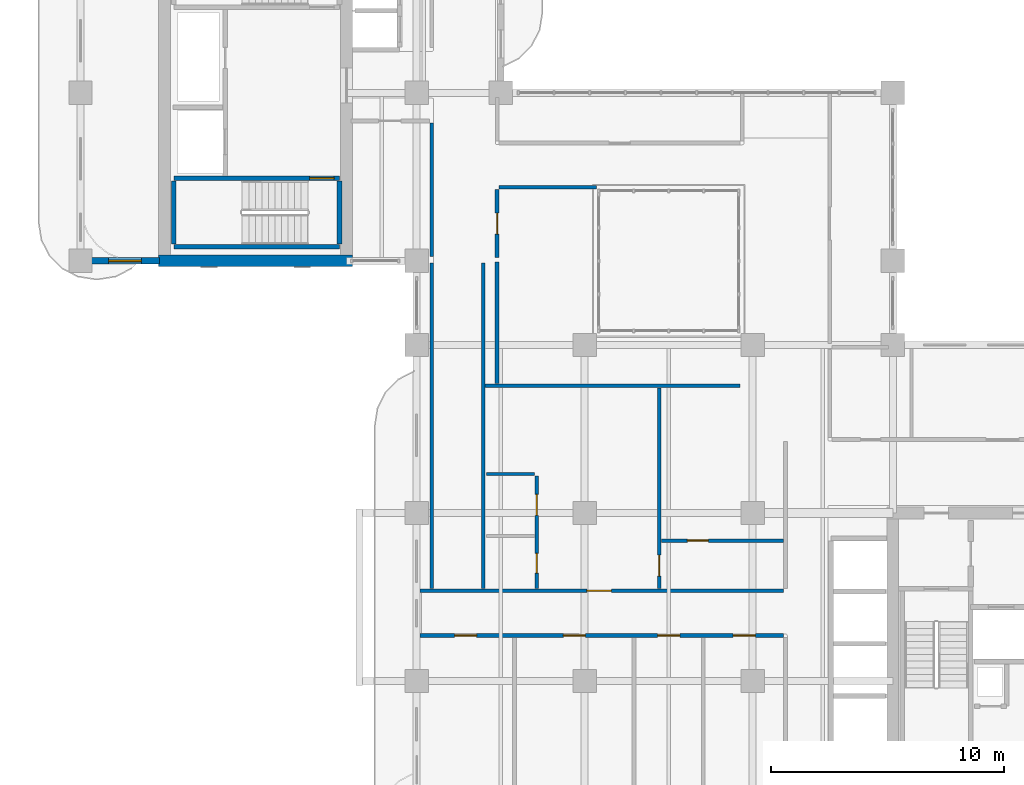
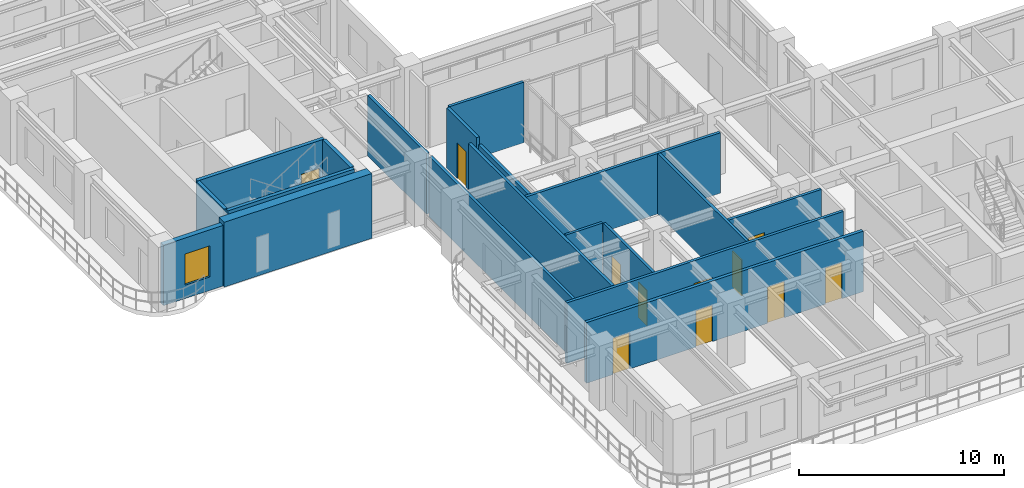
# One storey, part 11 of 21: 19 walls, 11 doors, 1 window, 12 openings.
"""IFC4 building model written with IfcOpenShell, lengths in metres."""

from ifc_helpers import new_model, si_unit, derived_unit, direction, frame, frame_2d, origin, place, context, subcontext, project, spatial, rectangle, extrude, source, transform, mapped, material, layer, layer_set, type_object, type_shapes, element, fill, save


model = new_model("IFC4")

# Units and contexts
model_context = context("Model", 3, precision=1e-05, world=origin(), true_north=direction((0.0, 1.0)))
body_context = subcontext(model_context, "Body", "Model", "MODEL_VIEW")
ifc_project = project(units=[si_unit("LENGTHUNIT", "METRE"), si_unit("AREAUNIT", "SQUARE_METRE"), si_unit("VOLUMEUNIT", "CUBIC_METRE"), si_unit("PLANEANGLEUNIT", "RADIAN"), si_unit("MASSUNIT", "GRAM", prefix="KILO"), si_unit("THERMODYNAMICTEMPERATUREUNIT", "KELVIN"), si_unit("POWERUNIT", "WATT"), derived_unit("THERMALTRANSMITTANCEUNIT", [(si_unit("POWERUNIT", "WATT"), 1), (si_unit("AREAUNIT", "SQUARE_METRE"), -1), (si_unit("THERMODYNAMICTEMPERATUREUNIT", "KELVIN"), -1)])], contexts=[model_context])

# Site, building, storey
site_placement = place(None, origin())
site = spatial("IfcSite", under=ifc_project, at=site_placement, CompositionType="ELEMENT")
building_placement = place(site_placement, origin())
building = spatial("IfcBuilding", under=site, at=building_placement, Name="Zahravan Archway Hotel and Residences", CompositionType="ELEMENT")
storey_placement = place(building_placement, frame((0.0, 0.0, 165.699951171875)))
storey = spatial("IfcBuildingStorey", under=building, at=storey_placement, Name="L41", CompositionType="ELEMENT", Elevation=165.699951171875)

# Wall
ifc_material_1 = material(Name="Concrete C60/75", Category="concrete")
ifc_layer_1 = layer(ifc_material_1, 0.5, Name="Concrete C60/75", Category="concrete")
ifc_layer_set_1 = layer_set([ifc_layer_1], Name="Concrete C60/75")
wall_type_1 = type_object("IfcWallType", Name="CW-CORE-500", PredefinedType="SHEAR", material=ifc_layer_set_1)
wall_1_placement = place(storey_placement, frame((3.35009765625, 25.199951171875, 0.0), z_axis=(0.0, 0.0, 1.0), x_axis=(1.0, 0.0, 0.0)))
element("IfcWall", 1, at=wall_1_placement, inside=storey, type_object=wall_type_1, Name="L41 Core B Shear S Wall 500 mm", PredefinedType="SHEAR", context=body_context, shape_type="SweptSolid", body=[
    extrude(rectangle(XDim=8.2998046875, YDim=0.5, at=frame_2d((4.14990234375, 0.0))), origin(), (0.0, 0.0, 1.0), 3.85009765625),
])

# Wall, opening, window
ifc_material_2 = material(Name="Honed Red-Ochre Sandstone & Insulated Block", Category="masonry")
ifc_layer_2 = layer(ifc_material_2, 0.280029296875, Name="Honed Red-Ochre Sandstone & Insulated Block", Category="masonry")
ifc_layer_set_2 = layer_set([ifc_layer_2], Name="Honed Red-Ochre Sandstone & Insulated Block")
wall_type_2 = type_object("IfcWallType", Name="EW-LOG-280", PredefinedType="SOLIDWALL", material=ifc_layer_set_2)
wall_2_placement = place(storey_placement, frame((0.0, 25.199951171875, 0.0), z_axis=(0.0, 0.0, 1.0), x_axis=(1.0, 0.0, 0.0)))
wall_2 = element("IfcWall", 2, at=wall_2_placement, inside=storey, type_object=wall_type_2, Name="L41 Exterior Sandstone Wall WB-SW", PredefinedType="SOLIDWALL", context=body_context, shape_type="SweptSolid", body=[
    extrude(rectangle(XDim=3.3798828125, YDim=0.280029296875, at=frame_2d((1.68994140625, 0.0))), origin(), (0.0, 0.0, 1.0), 3.60009765625),
])
opening_1_placement = place(wall_2_placement, frame((1.205078125, 0.0, 0.800048828125)))
opening_1 = element("IfcOpeningElement", 3, at=opening_1_placement, cuts=wall_2, Name="Opening W-03", PredefinedType="OPENING", context=body_context, shape_type="SweptSolid", body=[
    extrude(rectangle(XDim=1.39990234375, YDim=1.85009765625, at=frame_2d((0.699951171875, 0.925048828125))), frame((0.0, 0.14990234375, 0.0), z_axis=(0.0, -1.0, 0.0), x_axis=(1.0, 0.0, 0.0)), (0.0, 0.0, 1.0), 0.300048828125),
])
ifc_material_3 = material(Name="Bronze-Anodized Thermal-Break Aluminium & Low-E Glass", Category="aluminium")
window_type = type_object("IfcWindowType", Name="WIN-TWR-1400", PartitioningType="SINGLE_PANEL", PredefinedType="WINDOW", material=ifc_material_3)
shared_shape_1 = source(origin(), body_context, "Body", "SweptSolid", [
    extrude(rectangle(XDim=1.39990234375, YDim=1.85009765625, at=frame_2d((0.699951171875, 0.925048828125))), frame((0.0, 0.030029296875, 0.0), z_axis=(0.0, -1.0, 0.0), x_axis=(1.0, 0.0, 0.0)), (0.0, 0.0, 1.0), 0.06005859375),
])
type_shapes(window_type, [shared_shape_1])
window_placement = place(opening_1_placement, origin())
window = element("IfcWindow", 4, at=window_placement, inside=storey, type_object=window_type, Name="L41 Loggia Window 21", OverallHeight=1.85009765625, OverallWidth=1.39990234375, PartitioningType="SINGLE_PANEL", PredefinedType="WINDOW", context=body_context, shape_type="MappedRepresentation", body=[
    mapped(shared_shape_1, transform((0.0, 0.0, 0.0), scale=1.0)),
])
fill(opening_1, window)

# Wall, opening, door
ifc_material_4 = material(Name="Fire-Rated Gypsum & Concrete Block", Category="concrete")
ifc_layer_3 = layer(ifc_material_4, 0.159912109375, Name="Fire-Rated Gypsum & Concrete Block", Category="concrete")
ifc_layer_set_3 = layer_set([ifc_layer_3], Name="Fire-Rated Gypsum & Concrete Block")
wall_type_3 = type_object("IfcWallType", Name="PW-CORR-160", PredefinedType="PARTITIONING", material=ifc_layer_set_3)
wall_3_placement = place(storey_placement, frame((14.548095703125, 11.070068359375, 0.0), z_axis=(0.0, 0.0, 1.0), x_axis=(1.0, 0.0, 0.0)))
wall_3 = element("IfcWall", 5, at=wall_3_placement, inside=storey, type_object=wall_type_3, Name="L41 Partition WA-CN", PredefinedType="PARTITIONING", context=body_context, shape_type="SweptSolid", body=[
    extrude(rectangle(XDim=15.56201171875, YDim=0.159912109375, at=frame_2d((7.781005859375, 0.0))), origin(), (0.0, 0.0, 1.0), 3.60009765625),
])
opening_2_placement = place(wall_3_placement, frame((7.14208984375, 0.0, 0.0)))
opening_2 = element("IfcOpeningElement", 6, at=opening_2_placement, cuts=wall_3, Name="Opening D-U1", PredefinedType="OPENING", context=body_context, shape_type="SweptSolid", body=[
    extrude(rectangle(XDim=1.050048828125, YDim=2.25, at=frame_2d((0.52490234375, 1.125))), frame((0.0, 0.08984375, 0.0), z_axis=(0.0, -1.0, 0.0), x_axis=(1.0, 0.0, 0.0)), (0.0, 0.0, 1.0), 0.179931640625),
])
ifc_material_5 = material(Name="Hardwood Veneer Timber", Category="wood")
door_type_1 = type_object("IfcDoorType", Name="ID-UNIT-1050", OperationType="NOTDEFINED", PredefinedType="DOOR", material=ifc_material_5)
shared_shape_2 = source(origin(), body_context, "Body", "SweptSolid", [
    extrude(rectangle(XDim=1.050048828125, YDim=2.25, at=frame_2d((0.52490234375, 1.125))), frame((0.0, 0.02490234375, 0.0), z_axis=(0.0, -1.0, 0.0), x_axis=(1.0, 0.0, 0.0)), (0.0, 0.0, 1.0), 0.050048828125),
])
type_shapes(door_type_1, [shared_shape_2])
door_1_placement = place(opening_2_placement, origin())
door_1 = element("IfcDoor", 7, at=door_1_placement, inside=storey, type_object=door_type_1, Name="L41 Flat AT1 Entrance Door", OperationType="SINGLE_SWING_LEFT", OverallHeight=2.25, OverallWidth=1.050048828125, PredefinedType="DOOR", context=body_context, shape_type="MappedRepresentation", body=[
    mapped(shared_shape_2, transform((0.0, 0.0, 0.0), scale=1.0)),
])
fill(opening_2, door_1)

# Walls
for number, where, z_axis, x_axis, name in (
    (8, (15.050048828125, 11.159912109375, 0.0), (0.0, 0.0, 1.0), (0.0, 1.0, 0.0), "L41 Partition LNK-W"),
    (9, (17.25, 11.159912109375, 0.0), (0.0, 0.0, 1.0), (0.0, 1.0, 0.0), "L41 Partition LNK-E"),
):
    element("IfcWall", number, at=place(storey_placement, frame(where, z_axis=z_axis, x_axis=x_axis)), inside=storey, type_object=wall_type_3, Name=name, PredefinedType="PARTITIONING", context=body_context, shape_type="SweptSolid", body=[
        extrude(rectangle(XDim=13.9501953125, YDim=0.159912109375, at=frame_2d((6.97509765625, 0.0))), origin(), (0.0, 0.0, 1.0), 3.60009765625),
    ])
wall_4_placement = place(storey_placement, frame((15.050048828125, 25.389892578125, 0.0), z_axis=(0.0, 0.0, 1.0), x_axis=(0.0, 1.0, 0.0)))
element("IfcWall", 10, at=wall_4_placement, inside=storey, type_object=wall_type_3, Name="L41 Partition FB1-E", PredefinedType="PARTITIONING", context=body_context, shape_type="SweptSolid", body=[
    extrude(rectangle(XDim=5.72021484375, YDim=0.159912109375, at=frame_2d((2.860107421875, 0.0))), origin(), (0.0, 0.0, 1.0), 3.60009765625),
])
wall_5_placement = place(storey_placement, frame((17.93994140625, 28.35009765625, 0.0), z_axis=(0.0, 0.0, 1.0), x_axis=(1.0, 0.0, 0.0)))
element("IfcWall", 11, at=wall_5_placement, inside=storey, type_object=wall_type_3, Name="L41 Partition ATR-NW2S", PredefinedType="PARTITIONING", context=body_context, shape_type="SweptSolid", body=[
    extrude(rectangle(XDim=4.170166015625, YDim=0.159912109375, at=frame_2d((2.0849609375, 0.0))), origin(), (0.0, 0.0, 1.0), 3.60009765625),
])
wall_6_placement = place(storey_placement, frame((17.340087890625, 19.85009765625, 0.0), z_axis=(0.0, 0.0, 1.0), x_axis=(1.0, 0.0, 0.0)))
element("IfcWall", 12, at=wall_6_placement, inside=storey, type_object=wall_type_3, Name="L41 Partition ATR-S", PredefinedType="PARTITIONING", context=body_context, shape_type="SweptSolid", body=[
    extrude(rectangle(XDim=10.919921875, YDim=0.159912109375, at=frame_2d((5.4599609375, 0.0))), origin(), (0.0, 0.0, 1.0), 3.60009765625),
])

# Wall, openings, doors
ifc_layer_4 = layer(ifc_material_4, 0.179931640625, Name="Fire-Rated Gypsum & Concrete Block", Category="concrete")
ifc_layer_set_4 = layer_set([ifc_layer_4], Name="Fire-Rated Gypsum & Concrete Block")
wall_type_4 = type_object("IfcWallType", Name="PW-CORR-180", PredefinedType="PARTITIONING", material=ifc_layer_set_4)
wall_7_placement = place(storey_placement, frame((14.548095703125, 9.14990234375, 0.0), z_axis=(0.0, 0.0, 1.0), x_axis=(1.0, 0.0, 0.0)))
wall_7 = element("IfcWall", 13, at=wall_7_placement, inside=storey, type_object=wall_type_4, Name="L41 Partition WA-CS", PredefinedType="PARTITIONING", context=body_context, shape_type="SweptSolid", body=[
    extrude(rectangle(XDim=15.56201171875, YDim=0.179931640625, at=frame_2d((7.781005859375, 0.0))), origin(), (0.0, 0.0, 1.0), 3.60009765625),
])
opening_3_placement = place(wall_7_placement, frame((1.47705078125, 0.0, 0.0)))
opening_3 = element("IfcOpeningElement", 14, at=opening_3_placement, cuts=wall_7, Name="Opening D-I1", PredefinedType="OPENING", context=body_context, shape_type="SweptSolid", body=[
    extrude(rectangle(XDim=0.949951171875, YDim=2.14990234375, at=frame_2d((0.47509765625, 1.074951171875))), frame((0.0, 0.10009765625, 0.0), z_axis=(0.0, -1.0, 0.0), x_axis=(1.0, 0.0, 0.0)), (0.0, 0.0, 1.0), 0.199951171875),
])
opening_4_placement = place(wall_7_placement, frame((6.136962890625, 0.0, 0.0)))
opening_4 = element("IfcOpeningElement", 15, at=opening_4_placement, cuts=wall_7, Name="Opening D-I1", PredefinedType="OPENING", context=body_context, shape_type="SweptSolid", body=[
    extrude(rectangle(XDim=0.949951171875, YDim=2.14990234375, at=frame_2d((0.47509765625, 1.074951171875))), frame((0.0, 0.10009765625, 0.0), z_axis=(0.0, -1.0, 0.0), x_axis=(1.0, 0.0, 0.0)), (0.0, 0.0, 1.0), 0.199951171875),
])
opening_5_placement = place(wall_7_placement, frame((10.177001953125, 0.0, 0.0)))
opening_5 = element("IfcOpeningElement", 16, at=opening_5_placement, cuts=wall_7, Name="Opening D-I1", PredefinedType="OPENING", context=body_context, shape_type="SweptSolid", body=[
    extrude(rectangle(XDim=0.949951171875, YDim=2.14990234375, at=frame_2d((0.47509765625, 1.074951171875))), frame((0.0, 0.10009765625, 0.0), z_axis=(0.0, -1.0, 0.0), x_axis=(1.0, 0.0, 0.0)), (0.0, 0.0, 1.0), 0.199951171875),
])
opening_6_placement = place(wall_7_placement, frame((13.4169921875, 0.0, 0.0)))
opening_6 = element("IfcOpeningElement", 17, at=opening_6_placement, cuts=wall_7, Name="Opening D-I1", PredefinedType="OPENING", context=body_context, shape_type="SweptSolid", body=[
    extrude(rectangle(XDim=0.949951171875, YDim=2.14990234375, at=frame_2d((0.47509765625, 1.074951171875))), frame((0.0, 0.10009765625, 0.0), z_axis=(0.0, -1.0, 0.0), x_axis=(1.0, 0.0, 0.0)), (0.0, 0.0, 1.0), 0.199951171875),
])
door_type_2 = type_object("IfcDoorType", Name="ID-INT-950", OperationType="NOTDEFINED", PredefinedType="DOOR", material=ifc_material_5)
shared_shape_3 = source(origin(), body_context, "Body", "SweptSolid", [
    extrude(rectangle(XDim=0.949951171875, YDim=2.14990234375, at=frame_2d((0.47509765625, 1.074951171875))), frame((0.0, 0.02490234375, 0.0), z_axis=(0.0, -1.0, 0.0), x_axis=(1.0, 0.0, 0.0)), (0.0, 0.0, 1.0), 0.050048828125),
])
type_shapes(door_type_2, [shared_shape_3])
door_2_placement = place(opening_3_placement, origin())
door_2 = element("IfcDoor", 18, at=door_2_placement, inside=storey, type_object=door_type_2, Name="L41 Office 1 Door", OperationType="SINGLE_SWING_RIGHT", OverallHeight=2.14990234375, OverallWidth=0.949951171875, PredefinedType="DOOR", context=body_context, shape_type="MappedRepresentation", body=[
    mapped(shared_shape_3, transform((0.0, 0.0, 0.0), scale=1.0)),
])
fill(opening_3, door_2)
door_3_placement = place(opening_4_placement, origin())
door_3 = element("IfcDoor", 19, at=door_3_placement, inside=storey, type_object=door_type_2, Name="L41 Office 2 Door", OperationType="SINGLE_SWING_LEFT", OverallHeight=2.14990234375, OverallWidth=0.949951171875, PredefinedType="DOOR", context=body_context, shape_type="MappedRepresentation", body=[
    mapped(shared_shape_3, transform((0.0, 0.0, 0.0), scale=1.0)),
])
fill(opening_4, door_3)
door_4_placement = place(opening_5_placement, origin())
door_4 = element("IfcDoor", 20, at=door_4_placement, inside=storey, type_object=door_type_2, Name="L41 Office 3 Door", OperationType="SINGLE_SWING_RIGHT", OverallHeight=2.14990234375, OverallWidth=0.949951171875, PredefinedType="DOOR", context=body_context, shape_type="MappedRepresentation", body=[
    mapped(shared_shape_3, transform((0.0, 0.0, 0.0), scale=1.0)),
])
fill(opening_5, door_4)
door_5_placement = place(opening_6_placement, origin())
door_5 = element("IfcDoor", 21, at=door_5_placement, inside=storey, type_object=door_type_2, Name="L41 Boardroom Door", OperationType="SINGLE_SWING_LEFT", OverallHeight=2.14990234375, OverallWidth=0.949951171875, PredefinedType="DOOR", context=body_context, shape_type="MappedRepresentation", body=[
    mapped(shared_shape_3, transform((0.0, 0.0, 0.0), scale=1.0)),
])
fill(opening_6, door_5)

# Wall, opening, door
ifc_material_6 = material(Name="Acoustic Stud Partition")
ifc_layer_5 = layer(ifc_material_6, 0.14990234375, Name="Acoustic Stud Partition")
ifc_layer_set_5 = layer_set([ifc_layer_5], Name="Acoustic Stud Partition")
wall_type_5 = type_object("IfcWallType", Name="PW-UNIT-150", PredefinedType="PARTITIONING", material=ifc_layer_set_5)
wall_8_placement = place(storey_placement, frame((24.800048828125, 11.159912109375, 0.0), z_axis=(0.0, 0.0, 1.0), x_axis=(0.0, 1.0, 0.0)))
wall_8 = element("IfcWall", 22, at=wall_8_placement, inside=storey, type_object=wall_type_5, Name="L41 Partition FL-AT1-SP", PredefinedType="PARTITIONING", context=body_context, shape_type="SweptSolid", body=[
    extrude(rectangle(XDim=8.60009765625, YDim=0.14990234375, at=frame_2d((4.300048828125, 0.0))), origin(), (0.0, 0.0, 1.0), 3.60009765625),
])
opening_7_placement = place(wall_8_placement, frame((0.534912109375, 0.0, 0.0)))
opening_7 = element("IfcOpeningElement", 23, at=opening_7_placement, cuts=wall_8, Name="Opening D-I2", PredefinedType="OPENING", context=body_context, shape_type="SweptSolid", body=[
    extrude(rectangle(XDim=0.89990234375, YDim=2.14990234375, at=frame_2d((0.449951171875, 1.074951171875))), frame((0.0, 0.0849609375, 0.0), z_axis=(0.0, -1.0, 0.0), x_axis=(1.0, 0.0, 0.0)), (0.0, 0.0, 1.0), 0.169921875),
])
door_type_3 = type_object("IfcDoorType", Name="ID-INT-900", OperationType="NOTDEFINED", PredefinedType="DOOR", material=ifc_material_5)
shared_shape_4 = source(origin(), body_context, "Body", "SweptSolid", [
    extrude(rectangle(XDim=0.89990234375, YDim=2.14990234375, at=frame_2d((0.449951171875, 1.074951171875))), frame((0.0, 0.02490234375, 0.0), z_axis=(0.0, -1.0, 0.0), x_axis=(1.0, 0.0, 0.0)), (0.0, 0.0, 1.0), 0.050048828125),
])
type_shapes(door_type_3, [shared_shape_4])
door_6_placement = place(opening_7_placement, origin())
door_6 = element("IfcDoor", 24, at=door_6_placement, inside=storey, type_object=door_type_3, Name="L41 Flat AT1 Bedroom Hall Door", OperationType="SINGLE_SWING_RIGHT", OverallHeight=2.14990234375, OverallWidth=0.89990234375, PredefinedType="DOOR", context=body_context, shape_type="MappedRepresentation", body=[
    mapped(shared_shape_4, transform((0.0, 0.0, 0.0), scale=1.0)),
])
fill(opening_7, door_6)

wall_9_placement = place(storey_placement, frame((24.889892578125, 13.219970703125, 0.0), z_axis=(0.0, 0.0, 1.0), x_axis=(1.0, 0.0, 0.0)))
wall_9 = element("IfcWall", 25, at=wall_9_placement, inside=storey, type_object=wall_type_5, Name="L41 Partition FL-AT1-GH", PredefinedType="PARTITIONING", context=body_context, shape_type="SweptSolid", body=[
    extrude(rectangle(XDim=5.22021484375, YDim=0.14990234375, at=frame_2d((2.610107421875, 0.0))), origin(), (0.0, 0.0, 1.0), 3.60009765625),
])
opening_8_placement = place(wall_9_placement, frame((1.110107421875, 0.0, 0.0)))
opening_8 = element("IfcOpeningElement", 26, at=opening_8_placement, cuts=wall_9, Name="Opening D-I2", PredefinedType="OPENING", context=body_context, shape_type="SweptSolid", body=[
    extrude(rectangle(XDim=0.89990234375, YDim=2.14990234375, at=frame_2d((0.449951171875, 1.074951171875))), frame((0.0, 0.0849609375, 0.0), z_axis=(0.0, -1.0, 0.0), x_axis=(1.0, 0.0, 0.0)), (0.0, 0.0, 1.0), 0.169921875),
])
door_7_placement = place(opening_8_placement, origin())
door_7 = element("IfcDoor", 27, at=door_7_placement, inside=storey, type_object=door_type_3, Name="L41 Flat AT1 Bedroom 1 Door", OperationType="SINGLE_SWING_LEFT", OverallHeight=2.14990234375, OverallWidth=0.89990234375, PredefinedType="DOOR", context=body_context, shape_type="MappedRepresentation", body=[
    mapped(shared_shape_4, transform((0.0, 0.0, 0.0), scale=1.0)),
])
fill(opening_8, door_7)

# Wall
ifc_layer_6 = layer(ifc_material_6, 0.169921875, Name="Acoustic Stud Partition")
ifc_layer_set_6 = layer_set([ifc_layer_6], Name="Acoustic Stud Partition")
wall_type_6 = type_object("IfcWallType", Name="PW-UNIT-170", PredefinedType="PARTITIONING", material=ifc_layer_set_6)
wall_10_placement = place(storey_placement, frame((17.85009765625, 19.93994140625, 0.0), z_axis=(0.0, 0.0, 1.0), x_axis=(0.0, 1.0, 0.0)))
element("IfcWall", 28, at=wall_10_placement, inside=storey, type_object=wall_type_6, Name="L41 Partition ATR-NWSL", PredefinedType="PARTITIONING", context=body_context, shape_type="SweptSolid", body=[
    extrude(rectangle(XDim=5.219970703125, YDim=0.169921875, at=frame_2d((2.60986328125, 0.0))), origin(), (0.0, 0.0, 1.0), 3.28515625),
])

# Wall, opening, door
wall_11_placement = place(storey_placement, frame((17.85009765625, 25.340087890625, 0.0), z_axis=(0.0, 0.0, 1.0), x_axis=(0.0, 1.0, 0.0)))
wall_11 = element("IfcWall", 29, at=wall_11_placement, inside=storey, type_object=wall_type_6, Name="L41 Partition ATR-W2", PredefinedType="PARTITIONING", context=body_context, shape_type="SweptSolid", body=[
    extrude(rectangle(XDim=2.919921875, YDim=0.169921875, at=frame_2d((1.4599609375, 0.0))), origin(), (0.0, 0.0, 1.0), 3.60009765625),
])
opening_9_placement = place(wall_11_placement, frame((1.010009765625, 0.0, 0.0)))
opening_9 = element("IfcOpeningElement", 30, at=opening_9_placement, cuts=wall_11, Name="Opening D-I2", PredefinedType="OPENING", context=body_context, shape_type="SweptSolid", body=[
    extrude(rectangle(XDim=0.89990234375, YDim=2.14990234375, at=frame_2d((0.449951171875, 1.074951171875))), frame((0.0, 0.094970703125, 0.0), z_axis=(0.0, -1.0, 0.0), x_axis=(1.0, 0.0, 0.0)), (0.0, 0.0, 1.0), 0.18994140625),
])
door_8_placement = place(opening_9_placement, origin())
door_8 = element("IfcDoor", 31, at=door_8_placement, inside=storey, type_object=door_type_3, Name="L41 Atrium West Focus Room Door", OperationType="SINGLE_SWING_LEFT", OverallHeight=2.14990234375, OverallWidth=0.89990234375, PredefinedType="DOOR", context=body_context, shape_type="MappedRepresentation", body=[
    mapped(shared_shape_4, transform((0.0, 0.0, 0.0), scale=1.0)),
])
fill(opening_9, door_8)

# Wall, openings, doors
ifc_material_7 = material(Name="Moisture-Resistant Blockwork", Category="masonry")
ifc_layer_7 = layer(ifc_material_7, 0.139892578125, Name="Moisture-Resistant Blockwork", Category="masonry")
ifc_layer_set_7 = layer_set([ifc_layer_7], Name="Moisture-Resistant Blockwork")
wall_type_7 = type_object("IfcWallType", Name="PW-WET-140", PredefinedType="PARTITIONING", material=ifc_layer_set_7)
wall_12_placement = place(storey_placement, frame((19.550048828125, 11.159912109375, 0.0), z_axis=(0.0, 0.0, 1.0), x_axis=(0.0, 1.0, 0.0)))
wall_12 = element("IfcWall", 32, at=wall_12_placement, inside=storey, type_object=wall_type_7, Name="L41 Partition FL-AT1-BV", PredefinedType="PARTITIONING", context=body_context, shape_type="SweptSolid", body=[
    extrude(rectangle(XDim=4.820068359375, YDim=0.139892578125, at=frame_2d((2.41015625, 0.0))), origin(), (0.0, 0.0, 1.0), 3.60009765625),
])
opening_10_placement = place(wall_12_placement, frame((0.659912109375, 0.0, 0.0)))
opening_10 = element("IfcOpeningElement", 33, at=opening_10_placement, cuts=wall_12, Name="Opening D-B1", PredefinedType="OPENING", context=body_context, shape_type="SweptSolid", body=[
    extrude(rectangle(XDim=0.85009765625, YDim=2.10009765625, at=frame_2d((0.425048828125, 1.050048828125))), frame((0.0, 0.080078125, 0.0), z_axis=(0.0, -1.0, 0.0), x_axis=(1.0, 0.0, 0.0)), (0.0, 0.0, 1.0), 0.159912109375),
])
opening_11_placement = place(wall_12_placement, frame((3.135009765625, 0.0, 0.0)))
opening_11 = element("IfcOpeningElement", 34, at=opening_11_placement, cuts=wall_12, Name="Opening D-I2", PredefinedType="OPENING", context=body_context, shape_type="SweptSolid", body=[
    extrude(rectangle(XDim=0.89990234375, YDim=2.14990234375, at=frame_2d((0.449951171875, 1.074951171875))), frame((0.0, 0.080078125, 0.0), z_axis=(0.0, -1.0, 0.0), x_axis=(1.0, 0.0, 0.0)), (0.0, 0.0, 1.0), 0.159912109375),
])
door_type_4 = type_object("IfcDoorType", Name="ID-BATH-850", OperationType="NOTDEFINED", PredefinedType="DOOR", material=ifc_material_5)
shared_shape_5 = source(origin(), body_context, "Body", "SweptSolid", [
    extrude(rectangle(XDim=0.85009765625, YDim=2.10009765625, at=frame_2d((0.425048828125, 1.050048828125))), frame((0.0, 0.02490234375, 0.0), z_axis=(0.0, -1.0, 0.0), x_axis=(1.0, 0.0, 0.0)), (0.0, 0.0, 1.0), 0.050048828125),
])
type_shapes(door_type_4, [shared_shape_5])
door_9_placement = place(opening_10_placement, origin())
door_9 = element("IfcDoor", 35, at=door_9_placement, inside=storey, type_object=door_type_4, Name="L41 Flat AT1 Bathroom Door", OperationType="SINGLE_SWING_LEFT", OverallHeight=2.10009765625, OverallWidth=0.85009765625, PredefinedType="DOOR", context=body_context, shape_type="MappedRepresentation", body=[
    mapped(shared_shape_5, transform((0.0, 0.0, 0.0), scale=1.0)),
])
fill(opening_10, door_9)
door_10_placement = place(opening_11_placement, origin())
door_10 = element("IfcDoor", 36, at=door_10_placement, inside=storey, type_object=door_type_3, Name="L41 Flat AT1 Kitchen Door", OperationType="SINGLE_SWING_RIGHT", OverallHeight=2.14990234375, OverallWidth=0.89990234375, PredefinedType="DOOR", context=body_context, shape_type="MappedRepresentation", body=[
    mapped(shared_shape_4, transform((0.0, 0.0, 0.0), scale=1.0)),
])
fill(opening_11, door_10)

# Walls
wall_13_placement = place(storey_placement, frame((17.389892578125, 16.070068359375, 0.0), z_axis=(0.0, 0.0, 1.0), x_axis=(1.0, 0.0, 0.0)))
element("IfcWall", 37, at=wall_13_placement, inside=storey, type_object=wall_type_7, Name="L41 Partition FL-AT1-KH", PredefinedType="PARTITIONING", context=body_context, shape_type="SweptSolid", body=[
    extrude(rectangle(XDim=2.070068359375, YDim=0.139892578125, at=frame_2d((1.03515625, 0.0))), origin(), (0.0, 0.0, 1.0), 3.60009765625),
])
ifc_material_8 = material(Name="Concrete C50/60", Category="concrete")
ifc_layer_8 = layer(ifc_material_8, 0.199951171875, Name="Concrete C50/60", Category="concrete")
ifc_layer_set_8 = layer_set([ifc_layer_8], Name="Concrete C50/60")
wall_type_8 = type_object("IfcWallType", Name="SW-STAIR-200", PredefinedType="SHEAR", material=ifc_layer_set_8)
wall_14_placement = place(storey_placement, frame((4.0, 25.800048828125, 0.0), z_axis=(0.0, 0.0, 1.0), x_axis=(1.0, 0.0, 0.0)))
element("IfcWall", 38, at=wall_14_placement, inside=storey, type_object=wall_type_8, Name="L41 Stairwell RC Wall CB-SB1S", PredefinedType="SHEAR", context=body_context, shape_type="SweptSolid", body=[
    extrude(rectangle(XDim=7.10009765625, YDim=0.199951171875, at=frame_2d((3.550048828125, 0.0))), origin(), (0.0, 0.0, 1.0), 3.85009765625),
])
for number, where, z_axis, x_axis, name in (
    (39, (4.0, 25.919921875, 0.0), (0.0, 0.0, 1.0), (0.0, 1.0, 0.0), "L41 Stairwell RC Wall CB-SB1W"),
    (40, (11.10009765625, 25.919921875, 0.0), (0.0, 0.0, 1.0), (0.0, 1.0, 0.0), "L41 Stairwell RC Wall CB-SB1E"),
):
    element("IfcWall", number, at=place(storey_placement, frame(where, z_axis=z_axis, x_axis=x_axis)), inside=storey, type_object=wall_type_8, Name=name, PredefinedType="SHEAR", context=body_context, shape_type="SweptSolid", body=[
        extrude(rectangle(XDim=2.7001953125, YDim=0.199951171875, at=frame_2d((1.35009765625, 0.0))), origin(), (0.0, 0.0, 1.0), 3.85009765625),
    ])

# Wall, opening, door
wall_15_placement = place(storey_placement, frame((4.0, 28.739990234375, 0.0), z_axis=(0.0, 0.0, 1.0), x_axis=(1.0, 0.0, 0.0)))
wall_15 = element("IfcWall", 41, at=wall_15_placement, inside=storey, type_object=wall_type_8, Name="L41 Stairwell RC Wall CB-SB1N", PredefinedType="SHEAR", context=body_context, shape_type="SweptSolid", body=[
    extrude(rectangle(XDim=7.10009765625, YDim=0.199951171875, at=frame_2d((3.550048828125, 0.0))), origin(), (0.0, 0.0, 1.0), 3.85009765625),
])
opening_12_placement = place(wall_15_placement, frame((5.81494140625, 0.0, 0.0)))
opening_12 = element("IfcOpeningElement", 42, at=opening_12_placement, cuts=wall_15, Name="Opening FD-S1", PredefinedType="OPENING", context=body_context, shape_type="SweptSolid", body=[
    extrude(rectangle(XDim=1.050048828125, YDim=2.199951171875, at=frame_2d((0.52490234375, 1.10009765625))), frame((0.0, 0.10986328125, 0.0), z_axis=(0.0, -1.0, 0.0), x_axis=(1.0, 0.0, 0.0)), (0.0, 0.0, 1.0), 0.219970703125),
])
ifc_material_9 = material(Name="Fire-Rated Painted Steel", Category="steel")
door_type_5 = type_object("IfcDoorType", Name="FD-STAIR-1100", OperationType="NOTDEFINED", PredefinedType="DOOR", material=ifc_material_9)
shared_shape_6 = source(origin(), body_context, "Body", "SweptSolid", [
    extrude(rectangle(XDim=1.050048828125, YDim=2.199951171875, at=frame_2d((0.52490234375, 1.10009765625))), frame((0.0, 0.02490234375, 0.0), z_axis=(0.0, -1.0, 0.0), x_axis=(1.0, 0.0, 0.0)), (0.0, 0.0, 1.0), 0.050048828125),
])
type_shapes(door_type_5, [shared_shape_6])
door_11_placement = place(opening_12_placement, origin())
door_11 = element("IfcDoor", 43, at=door_11_placement, inside=storey, type_object=door_type_5, Name="L41 Stair ST-B1 Door", OperationType="SINGLE_SWING_LEFT", OverallHeight=2.199951171875, OverallWidth=1.050048828125, PredefinedType="DOOR", context=body_context, shape_type="MappedRepresentation", body=[
    mapped(shared_shape_6, transform((0.0, 0.0, 0.0), scale=1.0)),
])
fill(opening_12, door_11)

save(model, "model.ifc")
